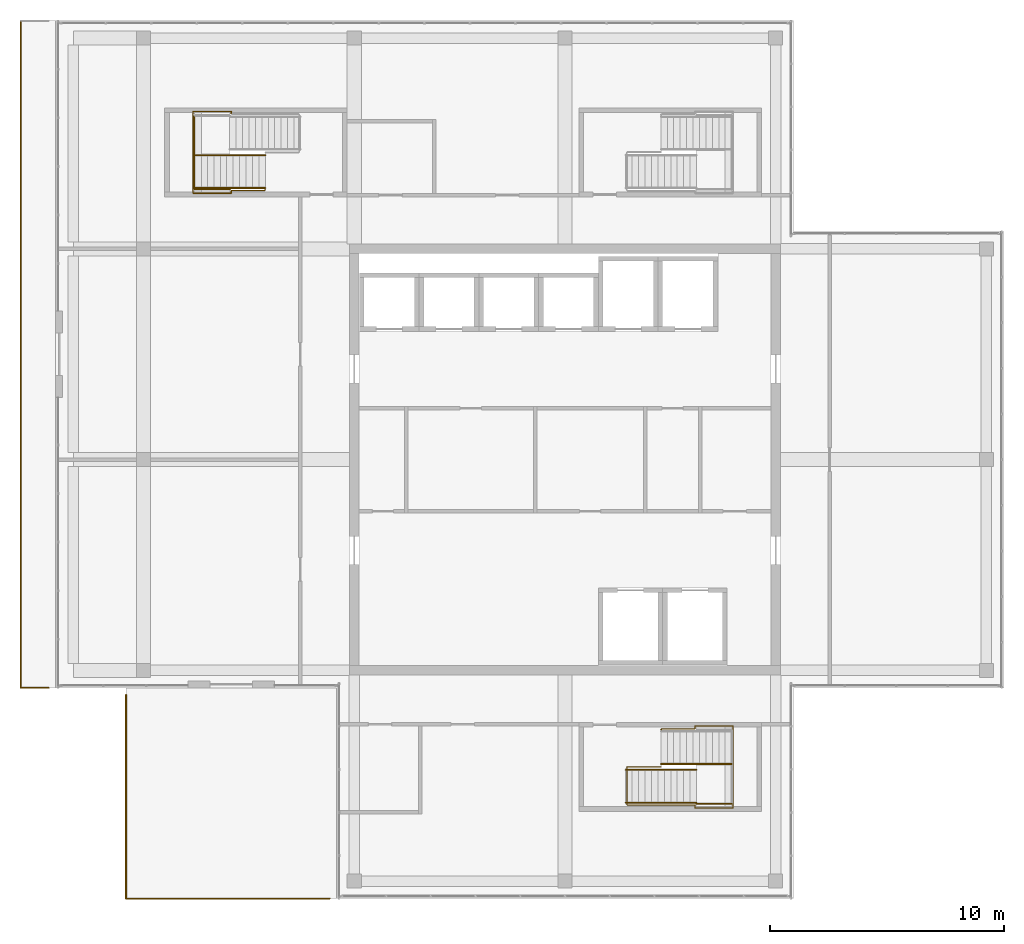
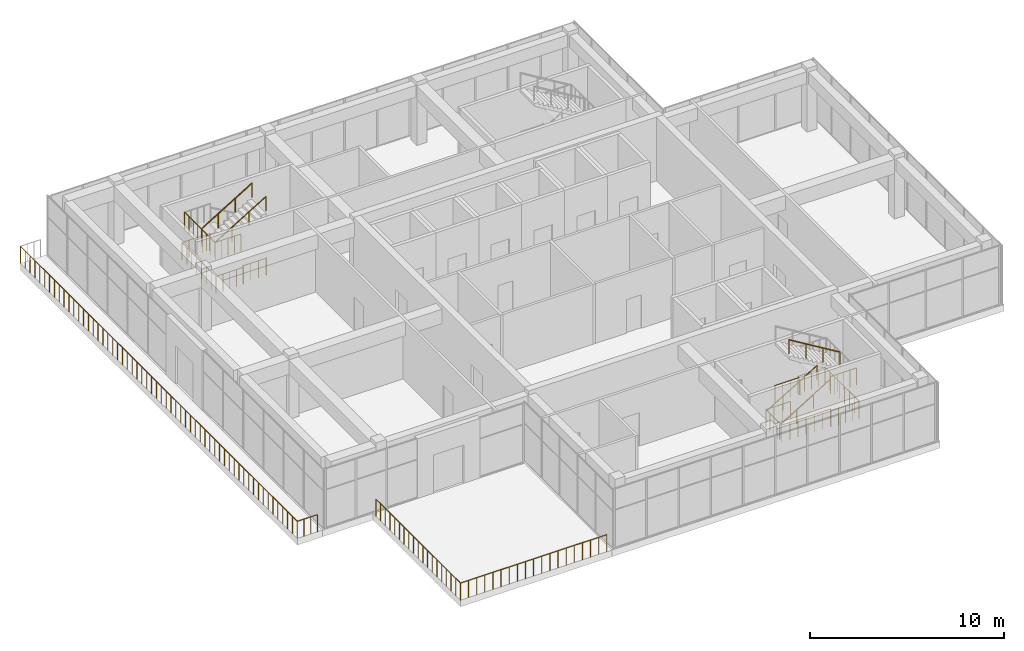
# One storey, part 31 of 32: 14 railings.
"""IFC4 building model written with IfcOpenShell, lengths in metres."""

from ifc_helpers import new_model, si_unit, direction, frame, origin, origin_2d, place, context, subcontext, project, spatial, circle, extrude, material, type_object, element, save


model = new_model("IFC4")

# Units and contexts
model_context = context("Model", 3, precision=1e-05, world=origin(), true_north=direction((0.0, 1.0)))
body_context = subcontext(model_context, "Body", "Model", "MODEL_VIEW")
ifc_project = project(units=[si_unit("LENGTHUNIT", "METRE"), si_unit("AREAUNIT", "SQUARE_METRE"), si_unit("VOLUMEUNIT", "CUBIC_METRE"), si_unit("PLANEANGLEUNIT", "RADIAN"), si_unit("MASSUNIT", "GRAM", prefix="KILO")], contexts=[model_context])

# Site, building, storey
site_placement = place(None, origin())
site = spatial("IfcSite", under=ifc_project, at=site_placement, CompositionType="ELEMENT")
building_placement = place(site_placement, origin())
building = spatial("IfcBuilding", under=site, at=building_placement, Name="Tuart Plaza Theatre", CompositionType="ELEMENT")
storey_placement = place(building_placement, frame((0.0, 0.0, 41.5)))
storey = spatial("IfcBuildingStorey", under=building, at=storey_placement, Name="L10", CompositionType="ELEMENT", Elevation=41.5)

# Railings
ifc_material_1 = material(Name="Steel Grade C350L0", Category="steel")
railing_type_1 = type_object("IfcRailingType", Name="RAILING Guard 1100", PredefinedType="GUARDRAIL", material=ifc_material_1)
railing_1_placement = place(storey_placement, frame((109.949951171875, 64.25, 0.0)))
element("IfcRailing", 1, at=railing_1_placement, inside=storey, type_object=railing_type_1, Name="GR189", PredefinedType="GUARDRAIL", context=body_context, shape_type="SweptSolid", body=[
    extrude(circle(Radius=0.02490234375, at=origin_2d()), frame((0.0, 0.0, 1.0751953125), z_axis=(-1.0, 0.0, 0.0), x_axis=(0.0, -1.0, 0.0)), (0.0, 0.0, 1.0), 1.199951171875),
    extrude(circle(Radius=0.02490234375, at=origin_2d()), frame((-1.199951171875, 0.0, 1.0751953125), z_axis=(0.0, 1.0, 0.0), x_axis=(-1.0, 0.0, 0.0)), (0.0, 0.0, 1.0), 28.5),
    extrude(circle(Radius=0.02001953125, at=origin_2d()), origin(), (0.0, 0.0, 1.0), 1.050048828125),
    extrude(circle(Radius=0.02001953125, at=origin_2d()), frame((-0.39990234375, 0.0, 0.0)), (0.0, 0.0, 1.0), 1.050048828125),
    extrude(circle(Radius=0.02001953125, at=origin_2d()), frame((-0.800048828125, 0.0, 0.0)), (0.0, 0.0, 1.0), 1.050048828125),
    extrude(circle(Radius=0.02001953125, at=origin_2d()), frame((-1.199951171875, 0.0, 0.0)), (0.0, 0.0, 1.0), 1.050048828125),
    extrude(circle(Radius=0.02001953125, at=origin_2d()), frame((-1.199951171875, 0.5, 0.0)), (0.0, 0.0, 1.0), 1.050048828125),
    extrude(circle(Radius=0.02001953125, at=origin_2d()), frame((-1.199951171875, 1.0, 0.0)), (0.0, 0.0, 1.0), 1.050048828125),
    extrude(circle(Radius=0.02001953125, at=origin_2d()), frame((-1.199951171875, 1.5, 0.0)), (0.0, 0.0, 1.0), 1.050048828125),
    extrude(circle(Radius=0.02001953125, at=origin_2d()), frame((-1.199951171875, 2.0, 0.0)), (0.0, 0.0, 1.0), 1.050048828125),
    extrude(circle(Radius=0.02001953125, at=origin_2d()), frame((-1.199951171875, 2.5, 0.0)), (0.0, 0.0, 1.0), 1.050048828125),
    extrude(circle(Radius=0.02001953125, at=origin_2d()), frame((-1.199951171875, 3.0, 0.0)), (0.0, 0.0, 1.0), 1.050048828125),
    extrude(circle(Radius=0.02001953125, at=origin_2d()), frame((-1.199951171875, 3.5, 0.0)), (0.0, 0.0, 1.0), 1.050048828125),
    extrude(circle(Radius=0.02001953125, at=origin_2d()), frame((-1.199951171875, 4.0, 0.0)), (0.0, 0.0, 1.0), 1.050048828125),
    extrude(circle(Radius=0.02001953125, at=origin_2d()), frame((-1.199951171875, 4.5, 0.0)), (0.0, 0.0, 1.0), 1.050048828125),
    extrude(circle(Radius=0.02001953125, at=origin_2d()), frame((-1.199951171875, 5.0, 0.0)), (0.0, 0.0, 1.0), 1.050048828125),
    extrude(circle(Radius=0.02001953125, at=origin_2d()), frame((-1.199951171875, 5.5, 0.0)), (0.0, 0.0, 1.0), 1.050048828125),
    extrude(circle(Radius=0.02001953125, at=origin_2d()), frame((-1.199951171875, 6.0, 0.0)), (0.0, 0.0, 1.0), 1.050048828125),
    extrude(circle(Radius=0.02001953125, at=origin_2d()), frame((-1.199951171875, 6.5, 0.0)), (0.0, 0.0, 1.0), 1.050048828125),
    extrude(circle(Radius=0.02001953125, at=origin_2d()), frame((-1.199951171875, 7.0, 0.0)), (0.0, 0.0, 1.0), 1.050048828125),
    extrude(circle(Radius=0.02001953125, at=origin_2d()), frame((-1.199951171875, 7.5, 0.0)), (0.0, 0.0, 1.0), 1.050048828125),
    extrude(circle(Radius=0.02001953125, at=origin_2d()), frame((-1.199951171875, 8.0, 0.0)), (0.0, 0.0, 1.0), 1.050048828125),
    extrude(circle(Radius=0.02001953125, at=origin_2d()), frame((-1.199951171875, 8.5, 0.0)), (0.0, 0.0, 1.0), 1.050048828125),
    extrude(circle(Radius=0.02001953125, at=origin_2d()), frame((-1.199951171875, 9.0, 0.0)), (0.0, 0.0, 1.0), 1.050048828125),
    extrude(circle(Radius=0.02001953125, at=origin_2d()), frame((-1.199951171875, 9.5, 0.0)), (0.0, 0.0, 1.0), 1.050048828125),
    extrude(circle(Radius=0.02001953125, at=origin_2d()), frame((-1.199951171875, 10.0, 0.0)), (0.0, 0.0, 1.0), 1.050048828125),
    extrude(circle(Radius=0.02001953125, at=origin_2d()), frame((-1.199951171875, 10.5, 0.0)), (0.0, 0.0, 1.0), 1.050048828125),
    extrude(circle(Radius=0.02001953125, at=origin_2d()), frame((-1.199951171875, 11.0, 0.0)), (0.0, 0.0, 1.0), 1.050048828125),
    extrude(circle(Radius=0.02001953125, at=origin_2d()), frame((-1.199951171875, 11.5, 0.0)), (0.0, 0.0, 1.0), 1.050048828125),
    extrude(circle(Radius=0.02001953125, at=origin_2d()), frame((-1.199951171875, 12.0, 0.0)), (0.0, 0.0, 1.0), 1.050048828125),
    extrude(circle(Radius=0.02001953125, at=origin_2d()), frame((-1.199951171875, 12.5, 0.0)), (0.0, 0.0, 1.0), 1.050048828125),
    extrude(circle(Radius=0.02001953125, at=origin_2d()), frame((-1.199951171875, 13.0, 0.0)), (0.0, 0.0, 1.0), 1.050048828125),
    extrude(circle(Radius=0.02001953125, at=origin_2d()), frame((-1.199951171875, 13.5, 0.0)), (0.0, 0.0, 1.0), 1.050048828125),
    extrude(circle(Radius=0.02001953125, at=origin_2d()), frame((-1.199951171875, 14.0, 0.0)), (0.0, 0.0, 1.0), 1.050048828125),
    extrude(circle(Radius=0.02001953125, at=origin_2d()), frame((-1.199951171875, 14.5, 0.0)), (0.0, 0.0, 1.0), 1.050048828125),
    extrude(circle(Radius=0.02001953125, at=origin_2d()), frame((-1.199951171875, 15.0, 0.0)), (0.0, 0.0, 1.0), 1.050048828125),
    extrude(circle(Radius=0.02001953125, at=origin_2d()), frame((-1.199951171875, 15.5, 0.0)), (0.0, 0.0, 1.0), 1.050048828125),
    extrude(circle(Radius=0.02001953125, at=origin_2d()), frame((-1.199951171875, 16.0, 0.0)), (0.0, 0.0, 1.0), 1.050048828125),
    extrude(circle(Radius=0.02001953125, at=origin_2d()), frame((-1.199951171875, 16.5, 0.0)), (0.0, 0.0, 1.0), 1.050048828125),
    extrude(circle(Radius=0.02001953125, at=origin_2d()), frame((-1.199951171875, 17.0, 0.0)), (0.0, 0.0, 1.0), 1.050048828125),
    extrude(circle(Radius=0.02001953125, at=origin_2d()), frame((-1.199951171875, 17.5, 0.0)), (0.0, 0.0, 1.0), 1.050048828125),
    extrude(circle(Radius=0.02001953125, at=origin_2d()), frame((-1.199951171875, 18.0, 0.0)), (0.0, 0.0, 1.0), 1.050048828125),
    extrude(circle(Radius=0.02001953125, at=origin_2d()), frame((-1.199951171875, 18.5, 0.0)), (0.0, 0.0, 1.0), 1.050048828125),
    extrude(circle(Radius=0.02001953125, at=origin_2d()), frame((-1.199951171875, 19.0, 0.0)), (0.0, 0.0, 1.0), 1.050048828125),
    extrude(circle(Radius=0.02001953125, at=origin_2d()), frame((-1.199951171875, 19.5, 0.0)), (0.0, 0.0, 1.0), 1.050048828125),
    extrude(circle(Radius=0.02001953125, at=origin_2d()), frame((-1.199951171875, 20.0, 0.0)), (0.0, 0.0, 1.0), 1.050048828125),
    extrude(circle(Radius=0.02001953125, at=origin_2d()), frame((-1.199951171875, 20.5, 0.0)), (0.0, 0.0, 1.0), 1.050048828125),
    extrude(circle(Radius=0.02001953125, at=origin_2d()), frame((-1.199951171875, 21.0, 0.0)), (0.0, 0.0, 1.0), 1.050048828125),
    extrude(circle(Radius=0.02001953125, at=origin_2d()), frame((-1.199951171875, 21.5, 0.0)), (0.0, 0.0, 1.0), 1.050048828125),
    extrude(circle(Radius=0.02001953125, at=origin_2d()), frame((-1.199951171875, 22.0, 0.0)), (0.0, 0.0, 1.0), 1.050048828125),
    extrude(circle(Radius=0.02001953125, at=origin_2d()), frame((-1.199951171875, 22.5, 0.0)), (0.0, 0.0, 1.0), 1.050048828125),
    extrude(circle(Radius=0.02001953125, at=origin_2d()), frame((-1.199951171875, 23.0, 0.0)), (0.0, 0.0, 1.0), 1.050048828125),
    extrude(circle(Radius=0.02001953125, at=origin_2d()), frame((-1.199951171875, 23.5, 0.0)), (0.0, 0.0, 1.0), 1.050048828125),
    extrude(circle(Radius=0.02001953125, at=origin_2d()), frame((-1.199951171875, 24.0, 0.0)), (0.0, 0.0, 1.0), 1.050048828125),
    extrude(circle(Radius=0.02001953125, at=origin_2d()), frame((-1.199951171875, 24.5, 0.0)), (0.0, 0.0, 1.0), 1.050048828125),
    extrude(circle(Radius=0.02001953125, at=origin_2d()), frame((-1.199951171875, 25.0, 0.0)), (0.0, 0.0, 1.0), 1.050048828125),
    extrude(circle(Radius=0.02001953125, at=origin_2d()), frame((-1.199951171875, 25.5, 0.0)), (0.0, 0.0, 1.0), 1.050048828125),
    extrude(circle(Radius=0.02001953125, at=origin_2d()), frame((-1.199951171875, 26.0, 0.0)), (0.0, 0.0, 1.0), 1.050048828125),
    extrude(circle(Radius=0.02001953125, at=origin_2d()), frame((-1.199951171875, 26.5, 0.0)), (0.0, 0.0, 1.0), 1.050048828125),
    extrude(circle(Radius=0.02001953125, at=origin_2d()), frame((-1.199951171875, 27.0, 0.0)), (0.0, 0.0, 1.0), 1.050048828125),
    extrude(circle(Radius=0.02001953125, at=origin_2d()), frame((-1.199951171875, 27.5, 0.0)), (0.0, 0.0, 1.0), 1.050048828125),
    extrude(circle(Radius=0.02001953125, at=origin_2d()), frame((-1.199951171875, 28.0, 0.0)), (0.0, 0.0, 1.0), 1.050048828125),
    extrude(circle(Radius=0.02001953125, at=origin_2d()), frame((-1.199951171875, 28.5, 0.0)), (0.0, 0.0, 1.0), 1.050048828125),
])
railing_2_placement = place(storey_placement, frame((113.25, 55.25, 0.0)))
element("IfcRailing", 2, at=railing_2_placement, inside=storey, type_object=railing_type_1, Name="GR190", PredefinedType="GUARDRAIL", context=body_context, shape_type="SweptSolid", body=[
    extrude(circle(Radius=0.02490234375, at=origin_2d()), frame((0.0, 0.0, 1.0751953125), z_axis=(0.0, 1.0, 0.0), x_axis=(-1.0, 0.0, 0.0)), (0.0, 0.0, 1.0), 8.699951171875),
    extrude(circle(Radius=0.02001953125, at=origin_2d()), origin(), (0.0, 0.0, 1.0), 1.050048828125),
    extrude(circle(Radius=0.02001953125, at=origin_2d()), frame((0.0, 0.4833984375, 0.0)), (0.0, 0.0, 1.0), 1.050048828125),
    extrude(circle(Radius=0.02001953125, at=origin_2d()), frame((0.0, 0.966552734375, 0.0)), (0.0, 0.0, 1.0), 1.050048828125),
    extrude(circle(Radius=0.02001953125, at=origin_2d()), frame((0.0, 1.449951171875, 0.0)), (0.0, 0.0, 1.0), 1.050048828125),
    extrude(circle(Radius=0.02001953125, at=origin_2d()), frame((0.0, 1.933349609375, 0.0)), (0.0, 0.0, 1.0), 1.050048828125),
    extrude(circle(Radius=0.02001953125, at=origin_2d()), frame((0.0, 2.416748046875, 0.0)), (0.0, 0.0, 1.0), 1.050048828125),
    extrude(circle(Radius=0.02001953125, at=origin_2d()), frame((0.0, 2.89990234375, 0.0)), (0.0, 0.0, 1.0), 1.050048828125),
    extrude(circle(Radius=0.02001953125, at=origin_2d()), frame((0.0, 3.38330078125, 0.0)), (0.0, 0.0, 1.0), 1.050048828125),
    extrude(circle(Radius=0.02001953125, at=origin_2d()), frame((0.0, 3.86669921875, 0.0)), (0.0, 0.0, 1.0), 1.050048828125),
    extrude(circle(Radius=0.02001953125, at=origin_2d()), frame((0.0, 4.35009765625, 0.0)), (0.0, 0.0, 1.0), 1.050048828125),
    extrude(circle(Radius=0.02001953125, at=origin_2d()), frame((0.0, 4.833251953125, 0.0)), (0.0, 0.0, 1.0), 1.050048828125),
    extrude(circle(Radius=0.02001953125, at=origin_2d()), frame((0.0, 5.316650390625, 0.0)), (0.0, 0.0, 1.0), 1.050048828125),
    extrude(circle(Radius=0.02001953125, at=origin_2d()), frame((0.0, 5.800048828125, 0.0)), (0.0, 0.0, 1.0), 1.050048828125),
    extrude(circle(Radius=0.02001953125, at=origin_2d()), frame((0.0, 6.283203125, 0.0)), (0.0, 0.0, 1.0), 1.050048828125),
    extrude(circle(Radius=0.02001953125, at=origin_2d()), frame((0.0, 6.7666015625, 0.0)), (0.0, 0.0, 1.0), 1.050048828125),
    extrude(circle(Radius=0.02001953125, at=origin_2d()), frame((0.0, 7.25, 0.0)), (0.0, 0.0, 1.0), 1.050048828125),
    extrude(circle(Radius=0.02001953125, at=origin_2d()), frame((0.0, 7.7333984375, 0.0)), (0.0, 0.0, 1.0), 1.050048828125),
    extrude(circle(Radius=0.02001953125, at=origin_2d()), frame((0.0, 8.216552734375, 0.0)), (0.0, 0.0, 1.0), 1.050048828125),
    extrude(circle(Radius=0.02001953125, at=origin_2d()), frame((0.0, 8.699951171875, 0.0)), (0.0, 0.0, 1.0), 1.050048828125),
])
railing_3_placement = place(storey_placement, frame((121.949951171875, 55.25, 0.0)))
element("IfcRailing", 3, at=railing_3_placement, inside=storey, type_object=railing_type_1, Name="GR191", PredefinedType="GUARDRAIL", context=body_context, shape_type="SweptSolid", body=[
    extrude(circle(Radius=0.02490234375, at=origin_2d()), frame((0.0, 0.0, 1.0751953125), z_axis=(-1.0, 0.0, 0.0), x_axis=(0.0, -1.0, 0.0)), (0.0, 0.0, 1.0), 8.699951171875),
    extrude(circle(Radius=0.02001953125, at=origin_2d()), origin(), (0.0, 0.0, 1.0), 1.050048828125),
    extrude(circle(Radius=0.02001953125, at=origin_2d()), frame((-0.4833984375, 0.0, 0.0)), (0.0, 0.0, 1.0), 1.050048828125),
    extrude(circle(Radius=0.02001953125, at=origin_2d()), frame((-0.966552734375, 0.0, 0.0)), (0.0, 0.0, 1.0), 1.050048828125),
    extrude(circle(Radius=0.02001953125, at=origin_2d()), frame((-1.449951171875, 0.0, 0.0)), (0.0, 0.0, 1.0), 1.050048828125),
    extrude(circle(Radius=0.02001953125, at=origin_2d()), frame((-1.933349609375, 0.0, 0.0)), (0.0, 0.0, 1.0), 1.050048828125),
    extrude(circle(Radius=0.02001953125, at=origin_2d()), frame((-2.416748046875, 0.0, 0.0)), (0.0, 0.0, 1.0), 1.050048828125),
    extrude(circle(Radius=0.02001953125, at=origin_2d()), frame((-2.89990234375, 0.0, 0.0)), (0.0, 0.0, 1.0), 1.050048828125),
    extrude(circle(Radius=0.02001953125, at=origin_2d()), frame((-3.38330078125, 0.0, 0.0)), (0.0, 0.0, 1.0), 1.050048828125),
    extrude(circle(Radius=0.02001953125, at=origin_2d()), frame((-3.86669921875, 0.0, 0.0)), (0.0, 0.0, 1.0), 1.050048828125),
    extrude(circle(Radius=0.02001953125, at=origin_2d()), frame((-4.35009765625, 0.0, 0.0)), (0.0, 0.0, 1.0), 1.050048828125),
    extrude(circle(Radius=0.02001953125, at=origin_2d()), frame((-4.833251953125, 0.0, 0.0)), (0.0, 0.0, 1.0), 1.050048828125),
    extrude(circle(Radius=0.02001953125, at=origin_2d()), frame((-5.316650390625, 0.0, 0.0)), (0.0, 0.0, 1.0), 1.050048828125),
    extrude(circle(Radius=0.02001953125, at=origin_2d()), frame((-5.800048828125, 0.0, 0.0)), (0.0, 0.0, 1.0), 1.050048828125),
    extrude(circle(Radius=0.02001953125, at=origin_2d()), frame((-6.283203125, 0.0, 0.0)), (0.0, 0.0, 1.0), 1.050048828125),
    extrude(circle(Radius=0.02001953125, at=origin_2d()), frame((-6.7666015625, 0.0, 0.0)), (0.0, 0.0, 1.0), 1.050048828125),
    extrude(circle(Radius=0.02001953125, at=origin_2d()), frame((-7.25, 0.0, 0.0)), (0.0, 0.0, 1.0), 1.050048828125),
    extrude(circle(Radius=0.02001953125, at=origin_2d()), frame((-7.7333984375, 0.0, 0.0)), (0.0, 0.0, 1.0), 1.050048828125),
    extrude(circle(Radius=0.02001953125, at=origin_2d()), frame((-8.216552734375, 0.0, 0.0)), (0.0, 0.0, 1.0), 1.050048828125),
    extrude(circle(Radius=0.02001953125, at=origin_2d()), frame((-8.699951171875, 0.0, 0.0)), (0.0, 0.0, 1.0), 1.050048828125),
])
railing_4_placement = place(storey_placement, frame((134.655029296875, 59.25, 0.0)))
element("IfcRailing", 4, at=railing_4_placement, inside=storey, type_object=railing_type_1, Name="GR244", PredefinedType="GUARDRAIL", context=body_context, shape_type="SweptSolid", body=[
    extrude(circle(Radius=0.02490234375, at=origin_2d()), frame((0.0, 0.0, 1.0751953125), z_axis=(0.0, 1.0, 0.0), x_axis=(-1.0, 0.0, 0.0)), (0.0, 0.0, 1.0), 1.625),
    extrude(circle(Radius=0.02490234375, at=origin_2d()), frame((0.0, 1.625, 1.0751953125), z_axis=(1.0, 0.0, 0.0), x_axis=(0.0, 1.0, 0.0)), (0.0, 0.0, 1.0), 1.455078125),
    extrude(circle(Radius=0.02001953125, at=origin_2d()), origin(), (0.0, 0.0, 1.0), 1.050048828125),
    extrude(circle(Radius=0.02001953125, at=origin_2d()), frame((0.0, 0.40625, 0.0)), (0.0, 0.0, 1.0), 1.050048828125),
    extrude(circle(Radius=0.02001953125, at=origin_2d()), frame((0.0, 0.8125, 0.0)), (0.0, 0.0, 1.0), 1.050048828125),
    extrude(circle(Radius=0.02001953125, at=origin_2d()), frame((0.0, 1.21875, 0.0)), (0.0, 0.0, 1.0), 1.050048828125),
    extrude(circle(Radius=0.02001953125, at=origin_2d()), frame((0.0, 1.625, 0.0)), (0.0, 0.0, 1.0), 1.050048828125),
    extrude(circle(Radius=0.02001953125, at=origin_2d()), frame((0.485107421875, 1.625, 0.0)), (0.0, 0.0, 1.0), 1.050048828125),
    extrude(circle(Radius=0.02001953125, at=origin_2d()), frame((0.969970703125, 1.625, 0.0)), (0.0, 0.0, 1.0), 1.050048828125),
    extrude(circle(Radius=0.02001953125, at=origin_2d()), frame((1.455078125, 1.625, 0.0)), (0.0, 0.0, 1.0), 1.050048828125),
])
railing_5_placement = place(storey_placement, frame((136.114990234375, 62.455078125, 0.0)))
element("IfcRailing", 5, at=railing_5_placement, inside=storey, type_object=railing_type_1, Name="GR245", PredefinedType="GUARDRAIL", context=body_context, shape_type="SweptSolid", body=[
    extrude(circle(Radius=0.02490234375, at=origin_2d()), frame((0.0, 0.0, 1.0751953125), z_axis=(0.0, 1.0, 0.0), x_axis=(-1.0, 0.0, 0.0)), (0.0, 0.0, 1.0), 0.044921875),
    extrude(circle(Radius=0.02490234375, at=origin_2d()), frame((0.0, 0.044921875, 1.0751953125), z_axis=(1.0, 0.0, 0.0), x_axis=(0.0, 1.0, 0.0)), (0.0, 0.0, 1.0), 1.43505859375),
    extrude(circle(Radius=0.02490234375, at=origin_2d()), frame((1.43505859375, 0.044921875, 1.0751953125), z_axis=(0.0, 1.0, 0.0), x_axis=(-1.0, 0.0, 0.0)), (0.0, 0.0, 1.0), 0.123046875),
    extrude(circle(Radius=0.02490234375, at=origin_2d()), frame((1.43505859375, 0.16796875, 1.0751953125), z_axis=(1.0, 0.0, 0.0), x_axis=(0.0, 1.0, 0.0)), (0.0, 0.0, 1.0), 1.6298828125),
    extrude(circle(Radius=0.02490234375, at=origin_2d()), frame((3.06494140625, 0.16796875, 1.0751953125), z_axis=(0.0, -1.0, 0.0), x_axis=(1.0, 0.0, 0.0)), (0.0, 0.0, 1.0), 3.49609375),
    extrude(circle(Radius=0.02490234375, at=origin_2d()), frame((3.06494140625, -3.328125, 1.0751953125), z_axis=(-1.0, 0.0, 0.0), x_axis=(0.0, -1.0, 0.0)), (0.0, 0.0, 1.0), 1.6298828125),
    extrude(circle(Radius=0.02490234375, at=origin_2d()), frame((1.43505859375, -3.328125, 1.0751953125), z_axis=(0.0, 1.0, 0.0), x_axis=(-1.0, 0.0, 0.0)), (0.0, 0.0, 1.0), 0.123046875),
    extrude(circle(Radius=0.02490234375, at=origin_2d()), frame((1.43505859375, -3.205078125, 1.0751953125), z_axis=(-1.0, 0.0, 0.0), x_axis=(0.0, -1.0, 0.0)), (0.0, 0.0, 1.0), 2.89501953125),
    extrude(circle(Radius=0.02001953125, at=origin_2d()), origin(), (0.0, 0.0, 1.0), 1.050048828125),
    extrude(circle(Radius=0.02001953125, at=origin_2d()), frame((0.0, 0.044921875, 0.0)), (0.0, 0.0, 1.0), 1.050048828125),
    extrude(circle(Radius=0.02001953125, at=origin_2d()), frame((0.478271484375, 0.044921875, 0.0)), (0.0, 0.0, 1.0), 1.050048828125),
    extrude(circle(Radius=0.02001953125, at=origin_2d()), frame((0.956787109375, 0.044921875, 0.0)), (0.0, 0.0, 1.0), 1.050048828125),
    extrude(circle(Radius=0.02001953125, at=origin_2d()), frame((1.43505859375, 0.044921875, 0.0)), (0.0, 0.0, 1.0), 1.050048828125),
    extrude(circle(Radius=0.02001953125, at=origin_2d()), frame((1.43505859375, 0.16796875, 0.0)), (0.0, 0.0, 1.0), 1.050048828125),
    extrude(circle(Radius=0.02001953125, at=origin_2d()), frame((1.842529296875, 0.16796875, 0.0)), (0.0, 0.0, 1.0), 1.050048828125),
    extrude(circle(Radius=0.02001953125, at=origin_2d()), frame((2.25, 0.16796875, 0.0)), (0.0, 0.0, 1.0), 1.050048828125),
    extrude(circle(Radius=0.02001953125, at=origin_2d()), frame((2.657470703125, 0.16796875, 0.0)), (0.0, 0.0, 1.0), 1.050048828125),
    extrude(circle(Radius=0.02001953125, at=origin_2d()), frame((3.06494140625, 0.16796875, 0.0)), (0.0, 0.0, 1.0), 1.050048828125),
    extrude(circle(Radius=0.02001953125, at=origin_2d()), frame((3.06494140625, -0.33154296875, 0.0)), (0.0, 0.0, 1.0), 1.050048828125),
    extrude(circle(Radius=0.02001953125, at=origin_2d()), frame((3.06494140625, -0.830810546875, 0.0)), (0.0, 0.0, 1.0), 1.050048828125),
    extrude(circle(Radius=0.02001953125, at=origin_2d()), frame((3.06494140625, -1.330322265625, 0.0)), (0.0, 0.0, 1.0), 1.050048828125),
    extrude(circle(Radius=0.02001953125, at=origin_2d()), frame((3.06494140625, -1.829833984375, 0.0)), (0.0, 0.0, 1.0), 1.050048828125),
    extrude(circle(Radius=0.02001953125, at=origin_2d()), frame((3.06494140625, -2.329345703125, 0.0)), (0.0, 0.0, 1.0), 1.050048828125),
    extrude(circle(Radius=0.02001953125, at=origin_2d()), frame((3.06494140625, -2.82861328125, 0.0)), (0.0, 0.0, 1.0), 1.050048828125),
    extrude(circle(Radius=0.02001953125, at=origin_2d()), frame((3.06494140625, -3.328125, 0.0)), (0.0, 0.0, 1.0), 1.050048828125),
    extrude(circle(Radius=0.02001953125, at=origin_2d()), frame((2.657470703125, -3.328125, 0.0)), (0.0, 0.0, 1.0), 1.050048828125),
    extrude(circle(Radius=0.02001953125, at=origin_2d()), frame((2.25, -3.328125, 0.0)), (0.0, 0.0, 1.0), 1.050048828125),
    extrude(circle(Radius=0.02001953125, at=origin_2d()), frame((1.842529296875, -3.328125, 0.0)), (0.0, 0.0, 1.0), 1.050048828125),
    extrude(circle(Radius=0.02001953125, at=origin_2d()), frame((1.43505859375, -3.328125, 0.0)), (0.0, 0.0, 1.0), 1.050048828125),
    extrude(circle(Radius=0.02001953125, at=origin_2d()), frame((1.43505859375, -3.205078125, 0.0)), (0.0, 0.0, 1.0), 1.050048828125),
    extrude(circle(Radius=0.02001953125, at=origin_2d()), frame((0.95263671875, -3.205078125, 0.0)), (0.0, 0.0, 1.0), 1.050048828125),
    extrude(circle(Radius=0.02001953125, at=origin_2d()), frame((0.469970703125, -3.205078125, 0.0)), (0.0, 0.0, 1.0), 1.050048828125),
    extrude(circle(Radius=0.02001953125, at=origin_2d()), frame((-0.012451171875, -3.205078125, 0.0)), (0.0, 0.0, 1.0), 1.050048828125),
    extrude(circle(Radius=0.02001953125, at=origin_2d()), frame((-0.494873046875, -3.205078125, 0.0)), (0.0, 0.0, 1.0), 1.050048828125),
    extrude(circle(Radius=0.02001953125, at=origin_2d()), frame((-0.9775390625, -3.205078125, 0.0)), (0.0, 0.0, 1.0), 1.050048828125),
    extrude(circle(Radius=0.02001953125, at=origin_2d()), frame((-1.4599609375, -3.205078125, 0.0)), (0.0, 0.0, 1.0), 1.050048828125),
])
railing_6_placement = place(storey_placement, frame((137.60009765625, 59.300048828125, 2.0)))
element("IfcRailing", 6, at=railing_6_placement, inside=storey, type_object=railing_type_1, Name="GR251", PredefinedType="GUARDRAIL", context=body_context, shape_type="SweptSolid", body=[
    extrude(circle(Radius=0.02490234375, at=origin_2d()), frame((0.0, 0.0, 1.0751953125), z_axis=(1.0, 0.0, 0.0), x_axis=(0.0, 1.0, 0.0)), (0.0, 0.0, 1.0), 1.52978515625),
    extrude(circle(Radius=0.02001953125, at=origin_2d()), origin(), (0.0, 0.0, 1.0), 1.050048828125),
    extrude(circle(Radius=0.02001953125, at=origin_2d()), frame((0.38232421875, 0.0, 0.0)), (0.0, 0.0, 1.0), 1.050048828125),
    extrude(circle(Radius=0.02001953125, at=origin_2d()), frame((0.764892578125, 0.0, 0.0)), (0.0, 0.0, 1.0), 1.050048828125),
    extrude(circle(Radius=0.02001953125, at=origin_2d()), frame((1.1474609375, 0.0, 0.0)), (0.0, 0.0, 1.0), 1.050048828125),
    extrude(circle(Radius=0.02001953125, at=origin_2d()), frame((1.52978515625, 0.0, 0.0)), (0.0, 0.0, 1.0), 1.050048828125),
])
railing_7_placement = place(storey_placement, frame((119.18505859375, 85.544921875, 0.0)))
element("IfcRailing", 7, at=railing_7_placement, inside=storey, type_object=railing_type_1, Name="GR403", PredefinedType="GUARDRAIL", context=body_context, shape_type="SweptSolid", body=[
    extrude(circle(Radius=0.02490234375, at=origin_2d()), frame((0.0, 0.0, 1.0751953125), z_axis=(0.0, -1.0, 0.0), x_axis=(1.0, 0.0, 0.0)), (0.0, 0.0, 1.0), 0.044921875),
    extrude(circle(Radius=0.02490234375, at=origin_2d()), frame((0.0, -0.044921875, 1.0751953125), z_axis=(-1.0, 0.0, 0.0), x_axis=(0.0, -1.0, 0.0)), (0.0, 0.0, 1.0), 1.43505859375),
    extrude(circle(Radius=0.02490234375, at=origin_2d()), frame((-1.43505859375, -0.044921875, 1.0751953125), z_axis=(0.0, -1.0, 0.0), x_axis=(1.0, 0.0, 0.0)), (0.0, 0.0, 1.0), 0.123046875),
    extrude(circle(Radius=0.02490234375, at=origin_2d()), frame((-1.43505859375, -0.16796875, 1.0751953125), z_axis=(-1.0, 0.0, 0.0), x_axis=(0.0, -1.0, 0.0)), (0.0, 0.0, 1.0), 1.6298828125),
    extrude(circle(Radius=0.02490234375, at=origin_2d()), frame((-3.06494140625, -0.16796875, 1.0751953125), z_axis=(0.0, 1.0, 0.0), x_axis=(-1.0, 0.0, 0.0)), (0.0, 0.0, 1.0), 3.49609375),
    extrude(circle(Radius=0.02490234375, at=origin_2d()), frame((-3.06494140625, 3.328125, 1.0751953125), z_axis=(1.0, 0.0, 0.0), x_axis=(0.0, 1.0, 0.0)), (0.0, 0.0, 1.0), 1.6298828125),
    extrude(circle(Radius=0.02490234375, at=origin_2d()), frame((-1.43505859375, 3.328125, 1.0751953125), z_axis=(0.0, -1.0, 0.0), x_axis=(1.0, 0.0, 0.0)), (0.0, 0.0, 1.0), 0.123046875),
    extrude(circle(Radius=0.02001953125, at=origin_2d()), origin(), (0.0, 0.0, 1.0), 1.050048828125),
    extrude(circle(Radius=0.02001953125, at=origin_2d()), frame((0.0, -0.044921875, 0.0)), (0.0, 0.0, 1.0), 1.050048828125),
    extrude(circle(Radius=0.02001953125, at=origin_2d()), frame((-0.478271484375, -0.044921875, 0.0)), (0.0, 0.0, 1.0), 1.050048828125),
    extrude(circle(Radius=0.02001953125, at=origin_2d()), frame((-0.956787109375, -0.044921875, 0.0)), (0.0, 0.0, 1.0), 1.050048828125),
    extrude(circle(Radius=0.02001953125, at=origin_2d()), frame((-1.43505859375, -0.044921875, 0.0)), (0.0, 0.0, 1.0), 1.050048828125),
    extrude(circle(Radius=0.02001953125, at=origin_2d()), frame((-1.43505859375, -0.16796875, 0.0)), (0.0, 0.0, 1.0), 1.050048828125),
    extrude(circle(Radius=0.02001953125, at=origin_2d()), frame((-1.842529296875, -0.16796875, 0.0)), (0.0, 0.0, 1.0), 1.050048828125),
    extrude(circle(Radius=0.02001953125, at=origin_2d()), frame((-2.25, -0.16796875, 0.0)), (0.0, 0.0, 1.0), 1.050048828125),
    extrude(circle(Radius=0.02001953125, at=origin_2d()), frame((-2.657470703125, -0.16796875, 0.0)), (0.0, 0.0, 1.0), 1.050048828125),
    extrude(circle(Radius=0.02001953125, at=origin_2d()), frame((-3.06494140625, -0.16796875, 0.0)), (0.0, 0.0, 1.0), 1.050048828125),
    extrude(circle(Radius=0.02001953125, at=origin_2d()), frame((-3.06494140625, 0.33154296875, 0.0)), (0.0, 0.0, 1.0), 1.050048828125),
    extrude(circle(Radius=0.02001953125, at=origin_2d()), frame((-3.06494140625, 0.830810546875, 0.0)), (0.0, 0.0, 1.0), 1.050048828125),
    extrude(circle(Radius=0.02001953125, at=origin_2d()), frame((-3.06494140625, 1.330322265625, 0.0)), (0.0, 0.0, 1.0), 1.050048828125),
    extrude(circle(Radius=0.02001953125, at=origin_2d()), frame((-3.06494140625, 1.829833984375, 0.0)), (0.0, 0.0, 1.0), 1.050048828125),
    extrude(circle(Radius=0.02001953125, at=origin_2d()), frame((-3.06494140625, 2.329345703125, 0.0)), (0.0, 0.0, 1.0), 1.050048828125),
    extrude(circle(Radius=0.02001953125, at=origin_2d()), frame((-3.06494140625, 2.82861328125, 0.0)), (0.0, 0.0, 1.0), 1.050048828125),
    extrude(circle(Radius=0.02001953125, at=origin_2d()), frame((-3.06494140625, 3.328125, 0.0)), (0.0, 0.0, 1.0), 1.050048828125),
    extrude(circle(Radius=0.02001953125, at=origin_2d()), frame((-2.657470703125, 3.328125, 0.0)), (0.0, 0.0, 1.0), 1.050048828125),
    extrude(circle(Radius=0.02001953125, at=origin_2d()), frame((-2.25, 3.328125, 0.0)), (0.0, 0.0, 1.0), 1.050048828125),
    extrude(circle(Radius=0.02001953125, at=origin_2d()), frame((-1.842529296875, 3.328125, 0.0)), (0.0, 0.0, 1.0), 1.050048828125),
    extrude(circle(Radius=0.02001953125, at=origin_2d()), frame((-1.43505859375, 3.328125, 0.0)), (0.0, 0.0, 1.0), 1.050048828125),
    extrude(circle(Radius=0.02001953125, at=origin_2d()), frame((-1.43505859375, 3.205078125, 0.0)), (0.0, 0.0, 1.0), 1.050048828125),
])
railing_8_placement = place(storey_placement, frame((116.169921875, 88.699951171875, 2.0)))
element("IfcRailing", 8, at=railing_8_placement, inside=storey, type_object=railing_type_1, Name="GR410", PredefinedType="GUARDRAIL", context=body_context, shape_type="SweptSolid", body=[
    extrude(circle(Radius=0.02490234375, at=origin_2d()), frame((0.0, 0.0, 1.0751953125), z_axis=(0.0, -1.0, 0.0), x_axis=(1.0, 0.0, 0.0)), (0.0, 0.0, 1.0), 3.14990234375),
    extrude(circle(Radius=0.02001953125, at=origin_2d()), origin(), (0.0, 0.0, 1.0), 1.050048828125),
    extrude(circle(Radius=0.02001953125, at=origin_2d()), frame((0.0, -0.449951171875, 0.0)), (0.0, 0.0, 1.0), 1.050048828125),
    extrude(circle(Radius=0.02001953125, at=origin_2d()), frame((0.0, -0.89990234375, 0.0)), (0.0, 0.0, 1.0), 1.050048828125),
    extrude(circle(Radius=0.02001953125, at=origin_2d()), frame((0.0, -1.349853515625, 0.0)), (0.0, 0.0, 1.0), 1.050048828125),
    extrude(circle(Radius=0.02001953125, at=origin_2d()), frame((0.0, -1.800048828125, 0.0)), (0.0, 0.0, 1.0), 1.050048828125),
    extrude(circle(Radius=0.02001953125, at=origin_2d()), frame((0.0, -2.25, 0.0)), (0.0, 0.0, 1.0), 1.050048828125),
    extrude(circle(Radius=0.02001953125, at=origin_2d()), frame((0.0, -2.699951171875, 0.0)), (0.0, 0.0, 1.0), 1.050048828125),
    extrude(circle(Radius=0.02001953125, at=origin_2d()), frame((0.0, -3.14990234375, 0.0)), (0.0, 0.0, 1.0), 1.050048828125),
])
railing_9_placement = place(storey_placement, frame((116.169921875, 85.550048828125, 2.0)))
element("IfcRailing", 9, at=railing_9_placement, inside=storey, type_object=railing_type_1, Name="GR411", PredefinedType="GUARDRAIL", context=body_context, shape_type="SweptSolid", body=[
    extrude(circle(Radius=0.02490234375, at=origin_2d()), frame((0.0, 0.0, 1.0751953125), z_axis=(1.0, 0.0, 0.0), x_axis=(0.0, 1.0, 0.0)), (0.0, 0.0, 1.0), 1.530029296875),
    extrude(circle(Radius=0.02001953125, at=origin_2d()), origin(), (0.0, 0.0, 1.0), 1.050048828125),
    extrude(circle(Radius=0.02001953125, at=origin_2d()), frame((0.382568359375, 0.0, 0.0)), (0.0, 0.0, 1.0), 1.050048828125),
    extrude(circle(Radius=0.02001953125, at=origin_2d()), frame((0.76513671875, 0.0, 0.0)), (0.0, 0.0, 1.0), 1.050048828125),
    extrude(circle(Radius=0.02001953125, at=origin_2d()), frame((1.1474609375, 0.0, 0.0)), (0.0, 0.0, 1.0), 1.050048828125),
    extrude(circle(Radius=0.02001953125, at=origin_2d()), frame((1.530029296875, 0.0, 0.0)), (0.0, 0.0, 1.0), 1.050048828125),
])
ifc_material_2 = material(Name="Steel Grade C350L0", Category="steel")
railing_type_2 = type_object("IfcRailingType", Name="RAILING Handrail 900", PredefinedType="HANDRAIL", material=ifc_material_2)
for number, where, name in (
    (10, (134.594970703125, 60.75, 0.166748046875), "HR155"),
    (11, (134.594970703125, 59.35009765625, 0.166748046875), "HR156"),
):
    element("IfcRailing", number, at=place(storey_placement, frame(where)), inside=storey, type_object=railing_type_2, Name=name, PredefinedType="HANDRAIL", context=body_context, shape_type="SweptSolid", body=[
        extrude(circle(Radius=0.0224609375, at=origin_2d()), frame((0.0, 0.0, 0.87744140625), z_axis=(0.855219153138, 0.0, 0.518266533848), x_axis=(0.0, 1.0, 0.0)), (0.0, 0.0, 1.0), 3.537353515625),
        extrude(circle(Radius=0.01513671875, at=origin_2d()), origin(), (0.0, 0.0, 1.0), 0.85498046875),
        extrude(circle(Radius=0.01513671875, at=origin_2d()), frame((1.00830078125, 0.0, 0.611083984375)), (0.0, 0.0, 1.0), 0.85498046875),
        extrude(circle(Radius=0.01513671875, at=origin_2d()), frame((2.016845703125, 0.0, 1.22216796875)), (0.0, 0.0, 1.0), 0.85498046875),
        extrude(circle(Radius=0.01513671875, at=origin_2d()), frame((3.025146484375, 0.0, 1.833251953125)), (0.0, 0.0, 1.0), 0.85498046875),
    ])
railing_10_placement = place(storey_placement, frame((139.1201171875, 61.0, 2.166748046875)))
element("IfcRailing", 12, at=railing_10_placement, inside=storey, type_object=railing_type_2, Name="HR157", PredefinedType="HANDRAIL", context=body_context, shape_type="SweptSolid", body=[
    extrude(circle(Radius=0.0224609375, at=origin_2d()), frame((0.0, 0.0, 0.87744140625), z_axis=(-0.855219153138, 0.0, 0.518266533848), x_axis=(0.0, -1.0, 0.0)), (0.0, 0.0, 1.0), 3.537353515625),
    extrude(circle(Radius=0.01513671875, at=origin_2d()), origin(), (0.0, 0.0, 1.0), 0.85498046875),
    extrude(circle(Radius=0.01513671875, at=origin_2d()), frame((-1.00830078125, 0.0, 0.611083984375)), (0.0, 0.0, 1.0), 0.85498046875),
    extrude(circle(Radius=0.01513671875, at=origin_2d()), frame((-2.016845703125, 0.0, 1.22216796875)), (0.0, 0.0, 1.0), 0.85498046875),
    extrude(circle(Radius=0.01513671875, at=origin_2d()), frame((-3.025146484375, 0.0, 1.833251953125)), (0.0, 0.0, 1.0), 0.85498046875),
])
for number, where, name in (
    (13, (116.179931640625, 87.0, 2.166748046875), "HR285"),
    (14, (116.179931640625, 85.60009765625, 2.166748046875), "HR286"),
):
    element("IfcRailing", number, at=place(storey_placement, frame(where)), inside=storey, type_object=railing_type_2, Name=name, PredefinedType="HANDRAIL", context=body_context, shape_type="SweptSolid", body=[
        extrude(circle(Radius=0.0224609375, at=origin_2d()), frame((0.0, 0.0, 0.87744140625), z_axis=(0.855219153138, 0.0, 0.518266533848), x_axis=(0.0, 1.0, 0.0)), (0.0, 0.0, 1.0), 3.537353515625),
        extrude(circle(Radius=0.01513671875, at=origin_2d()), origin(), (0.0, 0.0, 1.0), 0.85498046875),
        extrude(circle(Radius=0.01513671875, at=origin_2d()), frame((1.00830078125, 0.0, 0.611083984375)), (0.0, 0.0, 1.0), 0.85498046875),
        extrude(circle(Radius=0.01513671875, at=origin_2d()), frame((2.016845703125, 0.0, 1.22216796875)), (0.0, 0.0, 1.0), 0.85498046875),
        extrude(circle(Radius=0.01513671875, at=origin_2d()), frame((3.025146484375, 0.0, 1.833251953125)), (0.0, 0.0, 1.0), 0.85498046875),
    ])

save(model, "model.ifc")
